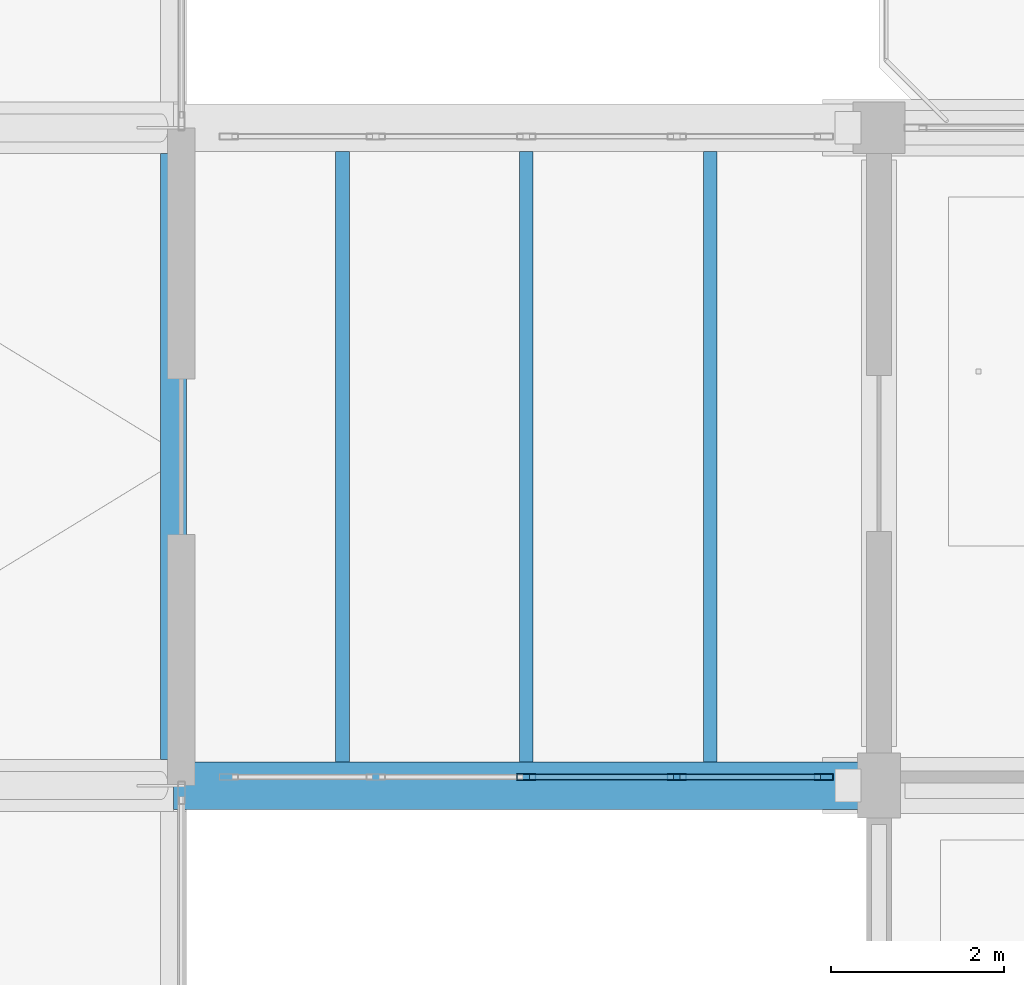
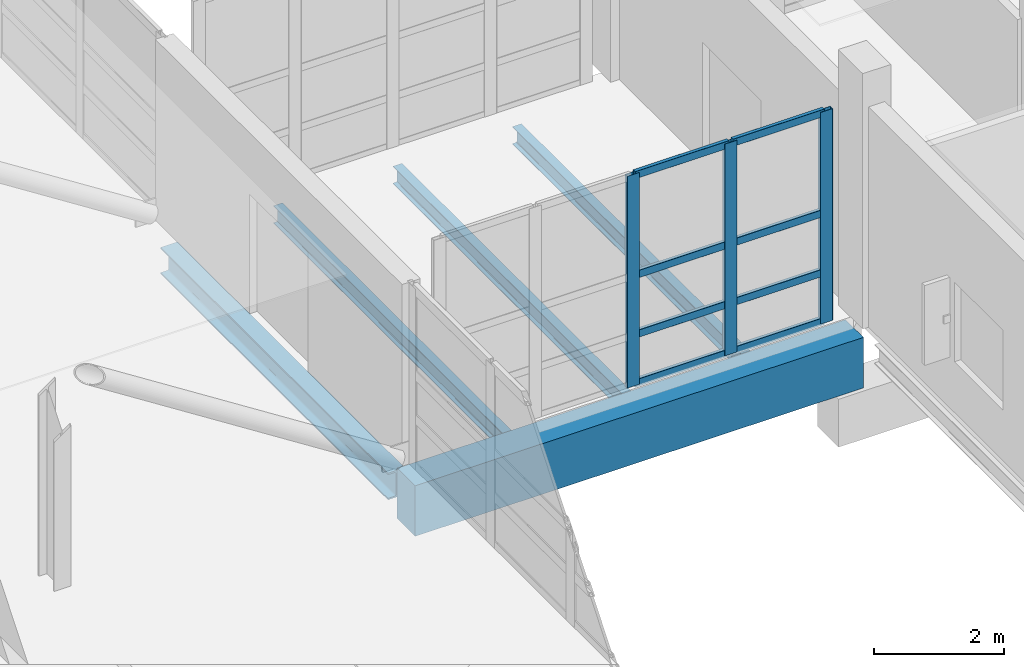
# One storey, part 14 of 147: 11 members, 5 beams, 1 element without a shape of its own.
"""IFC4 building model written with IfcOpenShell, lengths in metres."""

from ifc_helpers import new_model, si_unit, direction, frame, origin, origin_2d, place, context, subcontext, project, spatial, rectangle, hollow_rectangle, i_section, extrude, material, material_profile, profile_set, type_object, element, aggregate, save


model = new_model("IFC4")

# Units and contexts
model_context = context("Model", 3, precision=1e-05, world=origin(), true_north=direction((0.0, 1.0)))
body_context = subcontext(model_context, "Body", "Model", "MODEL_VIEW")
ifc_project = project(units=[si_unit("LENGTHUNIT", "METRE"), si_unit("AREAUNIT", "SQUARE_METRE"), si_unit("VOLUMEUNIT", "CUBIC_METRE"), si_unit("PLANEANGLEUNIT", "RADIAN"), si_unit("MASSUNIT", "GRAM", prefix="KILO")], contexts=[model_context])

# Site, building, storey
site_placement = place(None, origin())
site = spatial("IfcSite", under=ifc_project, at=site_placement, CompositionType="ELEMENT")
building_placement = place(site_placement, origin())
building = spatial("IfcBuilding", under=site, at=building_placement, Name="Khelvaren Railside Concert Hall", CompositionType="ELEMENT")
storey_placement = place(building_placement, frame((0.0, 0.0, 5.39990234375)))
storey = spatial("IfcBuildingStorey", under=building, at=storey_placement, Name="L01", CompositionType="ELEMENT", Elevation=5.39990234375)

# Curtain wall, members
ifc_material_1 = material(Name="Double-glazed clear foyer glass", Category="glass")
curtain_wall_type = type_object("IfcCurtainWallType", Name="CW47", PredefinedType="USERDEFINED", material=ifc_material_1)
curtain_wall_placement = place(storey_placement, origin())
curtain_wall = element("IfcCurtainWall", 1, at=curtain_wall_placement, inside=storey, type_object=curtain_wall_type, Name="Unitised Curtain Wall CW-LB1-L01-S", ObjectType="UNITISED CURTAIN WALL", PredefinedType="USERDEFINED")
ifc_material_2 = material(Name="Anodised architectural aluminium 6063-T6", Category="aluminium")
ifc_material_profile_1 = material_profile(ifc_material_2, hollow_rectangle(XDim=0.074951171875, YDim=0.219970703125, WallThickness=0.0048828125, InnerFilletRadius=0.0029296875, OuterFilletRadius=0.0048828125, at=origin_2d()), Name="CWM 75x220x5")
ifc_profile_set_1 = profile_set([ifc_material_profile_1], Name="Anodised architectural aluminium 6063-T6")
member_type_1 = type_object("IfcMemberType", Name="CWM13", PredefinedType="MULLION", material=ifc_profile_set_1)
member_1_placement = place(storey_placement, frame((63.362548828125, 7.699951171875, 0.0), z_axis=(0.0, 0.0, 1.0), x_axis=(0.0, -1.0, 0.0)))
member_1 = element("IfcMember", 2, at=member_1_placement, type_object=member_type_1, Name="CW47 mullion 1", PredefinedType="MULLION", context=body_context, shape_type="SweptSolid", body=[
    extrude(hollow_rectangle(XDim=0.074951171875, YDim=0.219970703125, WallThickness=0.0048828125, InnerFilletRadius=0.0029296875, OuterFilletRadius=0.0048828125, at=origin_2d()), origin(), (0.0, 0.0, 1.0), 3.97998046875),
])
member_2_placement = place(storey_placement, frame((61.66259765625, 7.699951171875, 0.0), z_axis=(0.0, 0.0, 1.0), x_axis=(0.0, -1.0, 0.0)))
member_2 = element("IfcMember", 3, at=member_2_placement, type_object=member_type_1, Name="CW47 mullion 2", PredefinedType="MULLION", context=body_context, shape_type="SweptSolid", body=[
    extrude(hollow_rectangle(XDim=0.074951171875, YDim=0.219970703125, WallThickness=0.0048828125, InnerFilletRadius=0.0029296875, OuterFilletRadius=0.0048828125, at=origin_2d()), origin(), (0.0, 0.0, 1.0), 3.97998046875),
])
member_3_placement = place(storey_placement, frame((59.925048828125, 7.699951171875, 0.0), z_axis=(0.0, 0.0, 1.0), x_axis=(0.0, -1.0, 0.0)))
member_3 = element("IfcMember", 4, at=member_3_placement, type_object=member_type_1, Name="CW47 mullion 3", PredefinedType="MULLION", context=body_context, shape_type="SweptSolid", body=[
    extrude(hollow_rectangle(XDim=0.074951171875, YDim=0.219970703125, WallThickness=0.0048828125, InnerFilletRadius=0.0029296875, OuterFilletRadius=0.0048828125, at=origin_2d()), origin(), (0.0, 0.0, 1.0), 3.97998046875),
])
ifc_material_profile_2 = material_profile(ifc_material_2, hollow_rectangle(XDim=0.06494140625, YDim=0.139892578125, WallThickness=0.00390625, InnerFilletRadius=0.001953125, OuterFilletRadius=0.00390625, at=origin_2d()), Name="CWT 65x140x4")
ifc_profile_set_2 = profile_set([ifc_material_profile_2], Name="Anodised architectural aluminium 6063-T6")
member_type_2 = type_object("IfcMemberType", Name="CWT72", PredefinedType="USERDEFINED", material=ifc_profile_set_2)
member_4_placement = place(storey_placement, frame((63.324951171875, 7.699951171875, 0.03271484375), z_axis=(-1.0, 0.0, 0.0), x_axis=(0.0, -1.0, 0.0)))
member_4 = element("IfcMember", 5, at=member_4_placement, type_object=member_type_2, Name="CW47 transom 1.1", ObjectType="TRANSOM", PredefinedType="USERDEFINED", context=body_context, shape_type="SweptSolid", body=[
    extrude(hollow_rectangle(XDim=0.06494140625, YDim=0.139892578125, WallThickness=0.00390625, InnerFilletRadius=0.001953125, OuterFilletRadius=0.00390625, at=origin_2d()), origin(), (0.0, 0.0, 1.0), 1.625),
])
member_5_placement = place(storey_placement, frame((63.324951171875, 7.699951171875, 0.9501953125), z_axis=(-1.0, 0.0, 0.0), x_axis=(0.0, -1.0, 0.0)))
member_5 = element("IfcMember", 6, at=member_5_placement, type_object=member_type_2, Name="CW47 transom 1.2", ObjectType="TRANSOM", PredefinedType="USERDEFINED", context=body_context, shape_type="SweptSolid", body=[
    extrude(hollow_rectangle(XDim=0.06494140625, YDim=0.139892578125, WallThickness=0.00390625, InnerFilletRadius=0.001953125, OuterFilletRadius=0.00390625, at=origin_2d()), origin(), (0.0, 0.0, 1.0), 1.625),
])
member_6_placement = place(storey_placement, frame((63.324951171875, 7.699951171875, 2.069580078125), z_axis=(-1.0, 0.0, 0.0), x_axis=(0.0, -1.0, 0.0)))
member_6 = element("IfcMember", 7, at=member_6_placement, type_object=member_type_2, Name="CW47 transom 1.3", ObjectType="TRANSOM", PredefinedType="USERDEFINED", context=body_context, shape_type="SweptSolid", body=[
    extrude(hollow_rectangle(XDim=0.06494140625, YDim=0.139892578125, WallThickness=0.00390625, InnerFilletRadius=0.001953125, OuterFilletRadius=0.00390625, at=origin_2d()), origin(), (0.0, 0.0, 1.0), 1.625),
])
member_7_placement = place(storey_placement, frame((63.324951171875, 7.699951171875, 3.947509765625), z_axis=(-1.0, 0.0, 0.0), x_axis=(0.0, -1.0, 0.0)))
member_7 = element("IfcMember", 8, at=member_7_placement, type_object=member_type_2, Name="CW47 transom 1.4", ObjectType="TRANSOM", PredefinedType="USERDEFINED", context=body_context, shape_type="SweptSolid", body=[
    extrude(hollow_rectangle(XDim=0.06494140625, YDim=0.139892578125, WallThickness=0.00390625, InnerFilletRadius=0.001953125, OuterFilletRadius=0.00390625, at=origin_2d()), origin(), (0.0, 0.0, 1.0), 1.625),
])
member_8_placement = place(storey_placement, frame((61.625, 7.699951171875, 0.03271484375), z_axis=(-1.0, 0.0, 0.0), x_axis=(0.0, -1.0, 0.0)))
member_8 = element("IfcMember", 9, at=member_8_placement, type_object=member_type_2, Name="CW47 transom 2.1", ObjectType="TRANSOM", PredefinedType="USERDEFINED", context=body_context, shape_type="SweptSolid", body=[
    extrude(hollow_rectangle(XDim=0.06494140625, YDim=0.139892578125, WallThickness=0.00390625, InnerFilletRadius=0.001953125, OuterFilletRadius=0.00390625, at=origin_2d()), origin(), (0.0, 0.0, 1.0), 1.66259765625),
])
member_9_placement = place(storey_placement, frame((61.625, 7.699951171875, 0.9501953125), z_axis=(-1.0, 0.0, 0.0), x_axis=(0.0, -1.0, 0.0)))
member_9 = element("IfcMember", 10, at=member_9_placement, type_object=member_type_2, Name="CW47 transom 2.2", ObjectType="TRANSOM", PredefinedType="USERDEFINED", context=body_context, shape_type="SweptSolid", body=[
    extrude(hollow_rectangle(XDim=0.06494140625, YDim=0.139892578125, WallThickness=0.00390625, InnerFilletRadius=0.001953125, OuterFilletRadius=0.00390625, at=origin_2d()), origin(), (0.0, 0.0, 1.0), 1.66259765625),
])
member_10_placement = place(storey_placement, frame((61.625, 7.699951171875, 2.069580078125), z_axis=(-1.0, 0.0, 0.0), x_axis=(0.0, -1.0, 0.0)))
member_10 = element("IfcMember", 11, at=member_10_placement, type_object=member_type_2, Name="CW47 transom 2.3", ObjectType="TRANSOM", PredefinedType="USERDEFINED", context=body_context, shape_type="SweptSolid", body=[
    extrude(hollow_rectangle(XDim=0.06494140625, YDim=0.139892578125, WallThickness=0.00390625, InnerFilletRadius=0.001953125, OuterFilletRadius=0.00390625, at=origin_2d()), origin(), (0.0, 0.0, 1.0), 1.66259765625),
])
member_11_placement = place(storey_placement, frame((61.625, 7.699951171875, 3.947509765625), z_axis=(-1.0, 0.0, 0.0), x_axis=(0.0, -1.0, 0.0)))
member_11 = element("IfcMember", 12, at=member_11_placement, type_object=member_type_2, Name="CW47 transom 2.4", ObjectType="TRANSOM", PredefinedType="USERDEFINED", context=body_context, shape_type="SweptSolid", body=[
    extrude(hollow_rectangle(XDim=0.06494140625, YDim=0.139892578125, WallThickness=0.00390625, InnerFilletRadius=0.001953125, OuterFilletRadius=0.00390625, at=origin_2d()), origin(), (0.0, 0.0, 1.0), 1.66259765625),
])
aggregate(curtain_wall, [member_1, member_2, member_3, member_4, member_5, member_6, member_7, member_8, member_9, member_10, member_11])

# Beams
ifc_material_3 = material(Name="Concrete C40/50", Category="concrete")
ifc_material_profile_3 = material_profile(ifc_material_3, rectangle(XDim=0.550048828125, YDim=0.949951171875, at=origin_2d()), Name="RCB 550x950")
ifc_profile_set_3 = profile_set([ifc_material_profile_3], Name="Concrete C40/50")
beam_type_1 = type_object("IfcBeamType", Name="GR75", PredefinedType="T_BEAM", material=ifc_profile_set_3)
beam_1_placement = place(storey_placement, frame((55.85009765625, 7.60009765625, -0.71484375), z_axis=(1.0, 0.0, 0.0), x_axis=(0.0, 1.0, 0.0)))
element("IfcBeam", 13, at=beam_1_placement, inside=storey, type_object=beam_type_1, Name="West Promenade Link Bridge L01 Bridge Girder 1", PredefinedType="T_BEAM", context=body_context, shape_type="SweptSolid", body=[
    extrude(rectangle(XDim=0.550048828125, YDim=0.949951171875, at=origin_2d()), origin(), (0.0, 0.0, 1.0), 7.969970703125),
])
ifc_material_4 = material(Name="Steel S355", Category="steel")
ifc_material_profile_4 = material_profile(ifc_material_4, i_section(OverallWidth=0.159912109375, OverallDepth=0.330078125, WebThickness=0.007568359375, FlangeThickness=0.011474609375, FilletRadius=0.01806640625, at=origin_2d()), Name="IPE 330")
ifc_profile_set_4 = profile_set([ifc_material_profile_4], Name="Steel S355")
beam_type_2 = type_object("IfcBeamType", Name="JS65", PredefinedType="JOIST", material=ifc_profile_set_4)
for number, where, z_axis, x_axis, name in (
    (14, (57.800048828125, 7.875, -0.40478515625), (0.0, 1.0, 0.0), (-1.0, 0.0, 0.0), "West Promenade Link Bridge L01 Bridge Cross Joist 1"),
    (15, (59.925048828125, 7.875, -0.40478515625), (0.0, 1.0, 0.0), (-1.0, 0.0, 0.0), "West Promenade Link Bridge L01 Bridge Cross Joist 2"),
    (16, (62.050048828125, 7.875, -0.40478515625), (0.0, 1.0, 0.0), (-1.0, 0.0, 0.0), "West Promenade Link Bridge L01 Bridge Cross Joist 3"),
):
    element("IfcBeam", number, at=place(storey_placement, frame(where, z_axis=z_axis, x_axis=x_axis)), inside=storey, type_object=beam_type_2, Name=name, PredefinedType="JOIST", context=body_context, shape_type="SweptSolid", body=[
        extrude(i_section(OverallWidth=0.159912109375, OverallDepth=0.330078125, WebThickness=0.007568359375, FlangeThickness=0.011474609375, FilletRadius=0.01806640625, at=origin_2d()), origin(), (0.0, 0.0, 1.0), 7.050048828125),
    ])
ifc_material_profile_5 = material_profile(ifc_material_4, i_section(OverallWidth=0.300048828125, OverallDepth=0.5, WebThickness=0.014404296875, FlangeThickness=0.028076171875, FilletRadius=0.027099609375, at=origin_2d()), Name="HEB 500")
ifc_profile_set_5 = profile_set([ifc_material_profile_5], Name="Steel S355")
beam_type_3 = type_object("IfcBeamType", Name="SP12", PredefinedType="SPANDREL", material=ifc_profile_set_5)
beam_2_placement = place(storey_placement, frame((55.85009765625, 7.89990234375, -0.5498046875), z_axis=(0.0, 1.0, 0.0), x_axis=(-1.0, 0.0, 0.0)))
element("IfcBeam", 17, at=beam_2_placement, inside=storey, type_object=beam_type_3, Name="V1 L01 Cantilever Tip Spandrel Y2", PredefinedType="SPANDREL", context=body_context, shape_type="SweptSolid", body=[
    extrude(i_section(OverallWidth=0.300048828125, OverallDepth=0.5, WebThickness=0.014404296875, FlangeThickness=0.028076171875, FilletRadius=0.027099609375, at=origin_2d()), origin(), (0.0, 0.0, 1.0), 7.0),
])

save(model, "model.ifc")
